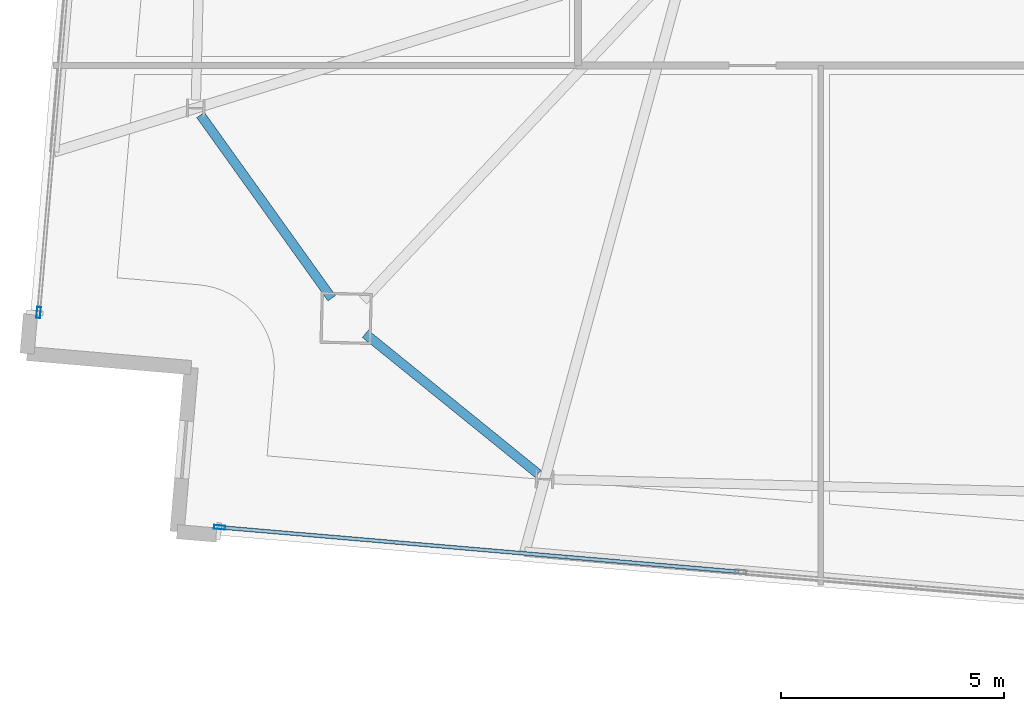
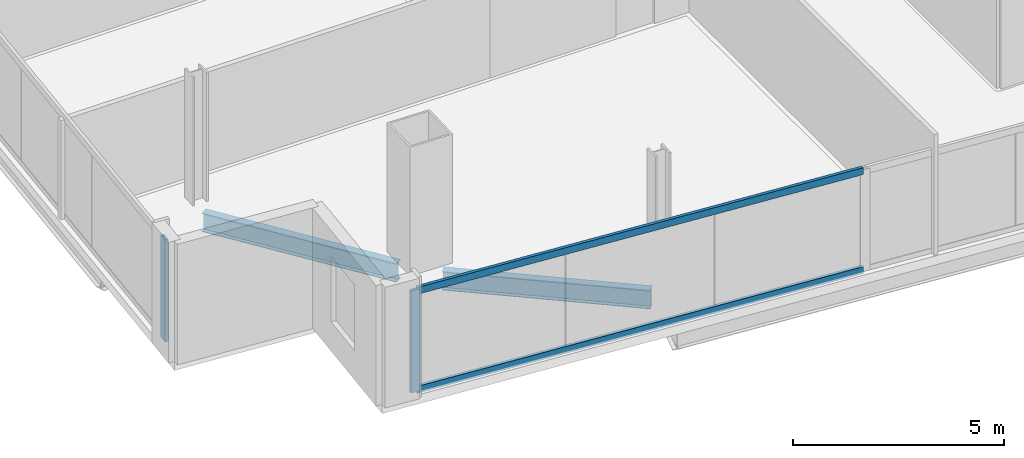
# One storey, part 2 of 24: 4 members, 2 beams, 2 elements without a shape of their own.
"""IFC4 building model written with IfcOpenShell, lengths in metres."""

import ifcopenshell
import ifcopenshell.guid

model = None  # the IFC model being written
_history = None  # IfcOwnerHistory: only IFC2X3 demands one
_inside = {}  # id of a spatial element -> (the spatial element, [elements in it])
_under = {}  # id of a project, library or spatial element -> (it, [spatial elements below it])
_declared = {}  # id of a project -> (the project, [libraries it declares])
_typed = {}  # id of a type object -> (the type object, [elements of that type])
_made_of = {}  # id of a material, layer set ... -> (it, [elements and type objects made of it])


def new_model(schema):
    """Start an empty IFC model of exactly this schema.

    Asked for "IFC4X3", IfcOpenShell would pick the latest addendum, in which some entities
    have other attributes; the version numbers below select the first issue.
    IFC2X3 requires an IfcOwnerHistory on every rooted entity: one is made here for all.
    """
    global model, _history
    if schema == "IFC4X3":
        model = ifcopenshell.file(schema_version=(4, 3, 0, 0))
    else:
        model = ifcopenshell.file(schema=schema)
    _inside.clear()
    _under.clear()
    _declared.clear()
    _typed.clear()
    _made_of.clear()
    _history = None
    if model.schema == "IFC2X3":
        org = make("IfcOrganization", Name="unknown")
        user = make(
            "IfcPersonAndOrganization",
            ThePerson=make("IfcPerson", FamilyName="unknown"),
            TheOrganization=org,
        )
        app = make(
            "IfcApplication",
            ApplicationDeveloper=org,
            Version="unknown",
            ApplicationFullName="unknown",
            ApplicationIdentifier="unknown",
        )
        _history = make(
            "IfcOwnerHistory",
            OwningUser=user,
            OwningApplication=app,
            ChangeAction="ADDED",
            CreationDate=0,
        )
    return model


def make(cls, **values):
    """One entity of the class cls with the attributes given. An attribute that is None is left unset."""
    return model.create_entity(
        cls, **{name: value for name, value in values.items() if value is not None}
    )


def rooted(cls, **values):
    """An entity with a GlobalId (a new one), such as an element, a storey or a relation."""
    return make(cls, GlobalId=ifcopenshell.guid.new(), OwnerHistory=_history, **values)


def si_unit(unit_type, name, prefix=None):
    """IfcSIUnit, for example si_unit("LENGTHUNIT", "METRE", prefix="MILLI")."""
    return make("IfcSIUnit", UnitType=unit_type, Prefix=prefix, Name=name)


def assignment(units):
    """IfcUnitAssignment: the units of a project."""
    return None if units is None else make("IfcUnitAssignment", Units=units)


def point(xyz):
    """IfcCartesianPoint."""
    return None if xyz is None else make("IfcCartesianPoint", Coordinates=xyz)


def direction(xyz):
    """IfcDirection."""
    return None if xyz is None else make("IfcDirection", DirectionRatios=xyz)


def frame(location, z_axis=None, x_axis=None):
    """IfcAxis2Placement3D, a coordinate frame: its origin and axes. An axis left out is left unset."""
    return make(
        "IfcAxis2Placement3D",
        Location=point(location),
        Axis=direction(z_axis),
        RefDirection=direction(x_axis),
    )


def frame_2d(location, x_axis=None):
    """IfcAxis2Placement2D, a coordinate frame in the plane: its origin and x axis."""
    return make(
        "IfcAxis2Placement2D", Location=point(location), RefDirection=direction(x_axis)
    )


def origin():
    """The frame at (0, 0, 0) with its axes left unset."""
    return frame((0.0, 0.0, 0.0))


def origin_2d():
    """The frame at (0, 0) in the plane with its x axis left unset."""
    return frame_2d((0.0, 0.0))


def place(relative_to, where):
    """IfcLocalPlacement: puts the frame where relative to a parent placement (None: the world)."""
    return make(
        "IfcLocalPlacement", PlacementRelTo=relative_to, RelativePlacement=where
    )


def context(
    kind, dimensions, precision=None, world=None, true_north=None, identifier=None
):
    """IfcGeometricRepresentationContext, for example the 3D "Model" context."""
    return make(
        "IfcGeometricRepresentationContext",
        ContextIdentifier=identifier,
        ContextType=kind,
        CoordinateSpaceDimension=dimensions,
        Precision=precision,
        WorldCoordinateSystem=world,
        TrueNorth=true_north,
    )


def subcontext(parent, identifier, kind, view, scale=None):
    """IfcGeometricRepresentationSubContext, for example "Body" below "Model"."""
    return make(
        "IfcGeometricRepresentationSubContext",
        ContextIdentifier=identifier,
        ContextType=kind,
        ParentContext=parent,
        TargetScale=scale,
        TargetView=view,
    )


def project(units=None, contexts=None):
    """IfcProject with its units and contexts."""
    return rooted(
        "IfcProject",
        Name="project",
        RepresentationContexts=contexts,
        UnitsInContext=assignment(units),
    )


def spatial(cls, under=None, at=None, **own):
    """A site, building, storey or space (cls), placed at a placement, below another one or the project."""
    s = rooted(cls, ObjectPlacement=at, **own)
    if under is not None:
        _under.setdefault(under.id(), (under, []))[1].append(s)
    return s


def profile(cls, at=None, kind="AREA", **sizes):
    """A parametric profile (cls). Its sizes go by their IFC names, for example OverallWidth=200.0."""
    return make(cls, ProfileType=kind, Position=at, **sizes)


def hollow_rectangle(**sizes):
    """IfcRectangleHollowProfileDef."""
    return profile("IfcRectangleHollowProfileDef", **sizes)


def i_section(**sizes):
    """IfcIShapeProfileDef."""
    return profile("IfcIShapeProfileDef", **sizes)


def extrude(swept, where, along, depth):
    """IfcExtrudedAreaSolid: the profile swept, set in the frame where, extruded along a direction by depth."""
    return make(
        "IfcExtrudedAreaSolid",
        SweptArea=swept,
        Position=where,
        ExtrudedDirection=direction(along),
        Depth=depth,
    )


def shape(context_of_items, identifier, shape_type, items):
    """IfcShapeRepresentation: the items that make up one representation, for example the "Body"."""
    return make(
        "IfcShapeRepresentation",
        ContextOfItems=context_of_items,
        RepresentationIdentifier=identifier,
        RepresentationType=shape_type,
        Items=items,
    )


def material(Name=None, Category=None):
    """IfcMaterial."""
    return make("IfcMaterial", Name=Name, Category=Category)


def material_profile(
    of_material, cross_section, Name=None, Category=None, Priority=None
):
    """IfcMaterialProfile: a cross section and its material."""
    return make(
        "IfcMaterialProfile",
        Name=Name,
        Material=of_material,
        Profile=cross_section,
        Priority=Priority,
        Category=Category,
    )


def profile_set(profiles, Name=None, composite=None):
    """IfcMaterialProfileSet."""
    return make(
        "IfcMaterialProfileSet",
        Name=Name,
        MaterialProfiles=profiles,
        CompositeProfile=composite,
    )


def made_of(thing, what):
    """Note that an element or type object is made of a material, layer set ...; save() writes the relation."""
    if what is not None:
        _made_of.setdefault(what.id(), (what, []))[1].append(thing)
    return thing


def type_object(cls, material=None, **own):
    """A type object (cls), such as IfcWallType, which elements share."""
    return made_of(rooted(cls, **own), material)


def element(
    cls,
    number,
    at=None,
    inside=None,
    cuts=None,
    type_object=None,
    material=None,
    context=None,
    identifier="Body",
    shape_type=None,
    held_by="IfcProductDefinitionShape",
    body=None,
    shapes=None,
    **own,
):
    """One element of the class cls, such as IfcWall. Its Tag is "e" and its number.

    at: its placement. inside: the storey or other place that contains it. cuts: it is an
    opening in that element (IfcRelVoidsElement). A single representation is given by context,
    identifier, shape_type and body (its items); several are given by shapes. held_by: the class
    of the entity that holds the representations. save() writes the other relations.
    """
    e = rooted(cls, Tag="e%d" % number, ObjectPlacement=at, **own)
    if body is not None:
        shapes = [shape(context, identifier, shape_type, body)]
    if shapes is not None:
        e.Representation = make(held_by, Representations=shapes)
    if inside is not None:
        _inside.setdefault(inside.id(), (inside, []))[1].append(e)
    if cuts is not None:
        rooted(
            "IfcRelVoidsElement", RelatingBuildingElement=cuts, RelatedOpeningElement=e
        )
    if type_object is not None:
        _typed.setdefault(type_object.id(), (type_object, []))[1].append(e)
    return made_of(e, material)


def aggregate(whole, parts):
    """IfcRelAggregates: a whole, such as a stair, and the parts it consists of."""
    return rooted("IfcRelAggregates", RelatingObject=whole, RelatedObjects=parts)


def save(model, path):
    """Write the relations noted so far, then the file.

    IfcRelAggregates (storeys below a building ...), IfcRelContainedInSpatialStructure (elements
    in a storey), IfcRelDefinesByType, IfcRelAssociatesMaterial and IfcRelDeclares: one each for
    every whole, place, type object, material and project.
    """
    for whole, parts in _under.values():
        aggregate(whole, parts)
    for where, things in _inside.values():
        rooted(
            "IfcRelContainedInSpatialStructure",
            RelatedElements=things,
            RelatingStructure=where,
        )
    for kind, things in _typed.values():
        rooted("IfcRelDefinesByType", RelatedObjects=things, RelatingType=kind)
    for what, things in _made_of.values():
        rooted("IfcRelAssociatesMaterial", RelatedObjects=things, RelatingMaterial=what)
    for by, libraries in _declared.values():
        rooted("IfcRelDeclares", RelatingContext=by, RelatedDefinitions=libraries)
    model.write(path)


model = new_model("IFC4")

# Units and contexts
model_context = context("Model", 3, precision=1e-05, world=origin(), true_north=direction((0.0, 1.0)))
body_context = subcontext(model_context, "Body", "Model", "MODEL_VIEW")
ifc_project = project(units=[si_unit("LENGTHUNIT", "METRE"), si_unit("AREAUNIT", "SQUARE_METRE"), si_unit("VOLUMEUNIT", "CUBIC_METRE"), si_unit("PLANEANGLEUNIT", "RADIAN"), si_unit("MASSUNIT", "GRAM", prefix="KILO")], contexts=[model_context])

# Site, building, storey
site_placement = place(None, origin())
site = spatial("IfcSite", under=ifc_project, at=site_placement, CompositionType="ELEMENT")
building_placement = place(site_placement, origin())
building = spatial("IfcBuilding", under=site, at=building_placement, Name="Haldenkirk Collegiate Tower", CompositionType="ELEMENT")
storey_placement = place(building_placement, frame((0.0, 0.0, 313.949951171875)))
storey = spatial("IfcBuildingStorey", under=building, at=storey_placement, Name="L79", CompositionType="ELEMENT", Elevation=313.949951171875)

# Beams
ifc_material_1 = material(Name="Steel ASTM A992 Grade 50", Category="steel")
ifc_material_profile_1 = material_profile(ifc_material_1, i_section(OverallWidth=0.2099609375, OverallDepth=0.537109375, WebThickness=0.010986328125, FlangeThickness=0.017333984375, at=origin_2d()), Name="W21X68")
ifc_profile_set_1 = profile_set([ifc_material_profile_1], Name="Steel ASTM A992 Grade 50")
beam_type = type_object("IfcBeamType", Name="BM-SPANDREL-W21X68", PredefinedType="SPANDREL", material=ifc_profile_set_1)
beam_1_placement = place(storey_placement, frame((16.064208984375, 14.434814453125, -0.528564453125), z_axis=(0.582300220922, -0.812973832737, 0.0), x_axis=(0.812973832737, 0.582300220922, 0.0)))
element("IfcBeam", 1, at=beam_1_placement, inside=storey, type_object=beam_type, Name="L79 perimeter spandrel beam 12", PredefinedType="SPANDREL", context=body_context, shape_type="SweptSolid", body=[
    extrude(i_section(OverallWidth=0.2099609375, OverallDepth=0.537109375, WebThickness=0.010986328125, FlangeThickness=0.017333984375, at=origin_2d()), origin(), (0.0, 0.0, 1.0), 5.064453125),
])
beam_2_placement = place(storey_placement, frame((19.767578125, 9.51708984375, -0.528564453125), z_axis=(0.776950131303, -0.629562144247, 0.0), x_axis=(0.629562144247, 0.776950131303, 0.0)))
element("IfcBeam", 2, at=beam_2_placement, inside=storey, type_object=beam_type, Name="L79 perimeter spandrel beam 13", PredefinedType="SPANDREL", context=body_context, shape_type="SweptSolid", body=[
    extrude(i_section(OverallWidth=0.2099609375, OverallDepth=0.537109375, WebThickness=0.010986328125, FlangeThickness=0.017333984375, at=origin_2d()), origin(), (0.0, 0.0, 1.0), 4.99755859375),
])

# Curtain wall, member
ifc_material_2 = material(Name="Anodised architectural bronze aluminium", Category="aluminium")
curtain_wall_type = type_object("IfcCurtainWallType", Name="CW-SYS1B-CONVEX-HI", PredefinedType="USERDEFINED", material=ifc_material_2)
curtain_wall_1_placement = place(storey_placement, origin())
curtain_wall_1 = element("IfcCurtainWall", 3, at=curtain_wall_1_placement, inside=storey, type_object=curtain_wall_type, Name="L79 Upper tower high-wind convex bronze unitised curtain wall", ObjectType="UNITISED CURTAIN WALL", PredefinedType="USERDEFINED")
ifc_material_profile_2 = material_profile(ifc_material_2, hollow_rectangle(XDim=0.0849609375, YDim=0.25, WallThickness=0.0048828125, at=origin_2d()), Name="CW-MUL-1B")
ifc_profile_set_2 = profile_set([ifc_material_profile_2], Name="Anodised architectural bronze aluminium")
member_type_1 = type_object("IfcMemberType", Name="CW-MUL-1B", PredefinedType="MULLION", material=ifc_profile_set_2)
member_1_placement = place(storey_placement, frame((12.427001953125, 9.99755859375, 0.0), z_axis=(0.0, 0.0, 1.0), x_axis=(-0.996345311804, 0.085416741017, 0.0)))
member_1 = element("IfcMember", 4, at=member_1_placement, type_object=member_type_1, Name="CW-1B mullion 1", PredefinedType="MULLION", context=body_context, shape_type="SweptSolid", body=[
    extrude(hollow_rectangle(XDim=0.0849609375, YDim=0.25, WallThickness=0.0048828125, at=origin_2d()), origin(), (0.0, 0.0, 1.0), 2.947998046875),
])
aggregate(curtain_wall_1, [member_1])

# Curtain wall, members
curtain_wall_2_placement = place(storey_placement, origin())
curtain_wall_2 = element("IfcCurtainWall", 5, at=curtain_wall_2_placement, inside=storey, type_object=curtain_wall_type, Name="L79 Upper tower high-wind convex bronze unitised curtain wall", ObjectType="UNITISED CURTAIN WALL", PredefinedType="USERDEFINED")
member_2_placement = place(storey_placement, frame((16.491943359375, 5.170166015625, 0.0), z_axis=(0.0, 0.0, 1.0), x_axis=(-0.085418127117, -0.996345192973, 0.0)))
member_2 = element("IfcMember", 6, at=member_2_placement, type_object=member_type_1, Name="CW-1B mullion 4", PredefinedType="MULLION", context=body_context, shape_type="SweptSolid", body=[
    extrude(hollow_rectangle(XDim=0.0849609375, YDim=0.25, WallThickness=0.0048828125, at=origin_2d()), origin(), (0.0, 0.0, 1.0), 2.947998046875),
])
ifc_material_profile_3 = material_profile(ifc_material_2, hollow_rectangle(XDim=0.0849609375, YDim=0.199951171875, WallThickness=0.0048828125, at=origin_2d()), Name="CW-TRN-1B")
ifc_profile_set_3 = profile_set([ifc_material_profile_3], Name="Anodised architectural bronze aluminium")
member_type_2 = type_object("IfcMemberType", Name="CW-TRN-1B", PredefinedType="USERDEFINED", material=ifc_profile_set_3)
member_3_placement = place(storey_placement, frame((28.164306640625, 4.16943359375, 0.04248046875), z_axis=(-0.9963450217, 0.085420124877, 0.0), x_axis=(-0.085420124877, -0.9963450217, 0.0)))
member_3 = element("IfcMember", 7, at=member_3_placement, type_object=member_type_2, Name="CW-1B transom 3.1", ObjectType="TRANSOM", PredefinedType="USERDEFINED", context=body_context, shape_type="SweptSolid", body=[
    extrude(hollow_rectangle(XDim=0.0849609375, YDim=0.199951171875, WallThickness=0.0048828125, at=origin_2d()), origin(), (0.0, 0.0, 1.0), 11.672607421875),
])
member_4_placement = place(storey_placement, frame((28.164306640625, 4.16943359375, 2.905517578125), z_axis=(-0.9963450217, 0.085420124877, 0.0), x_axis=(-0.085420124877, -0.9963450217, 0.0)))
member_4 = element("IfcMember", 8, at=member_4_placement, type_object=member_type_2, Name="CW-1B transom 3.2", ObjectType="TRANSOM", PredefinedType="USERDEFINED", context=body_context, shape_type="SweptSolid", body=[
    extrude(hollow_rectangle(XDim=0.0849609375, YDim=0.199951171875, WallThickness=0.0048828125, at=origin_2d()), origin(), (0.0, 0.0, 1.0), 11.672607421875),
])
aggregate(curtain_wall_2, [member_2, member_3, member_4])

save(model, "model.ifc")
